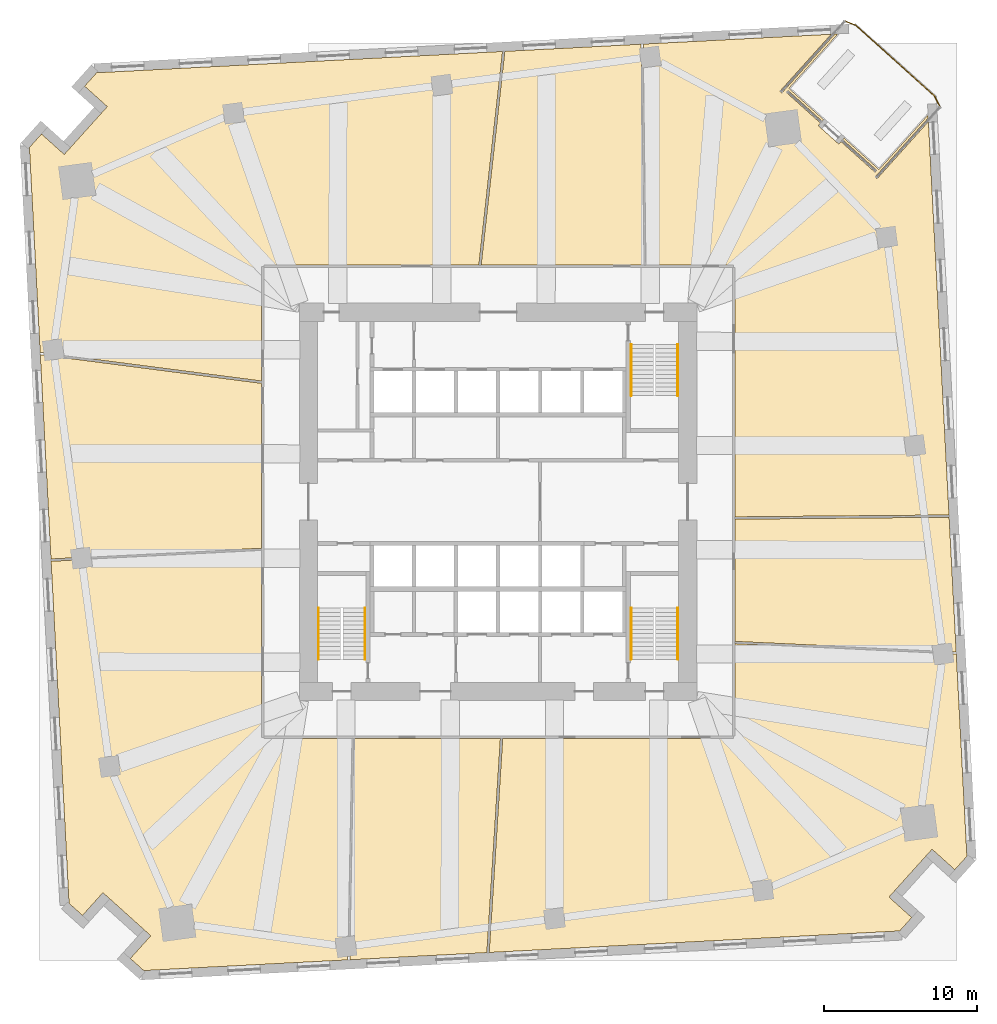
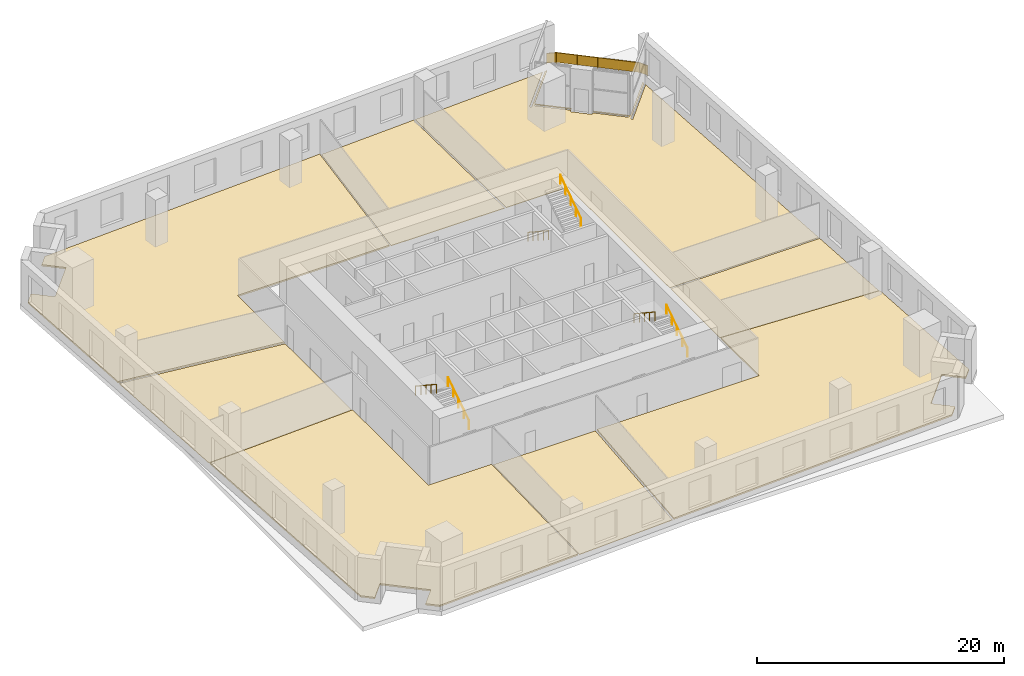
# One storey, part 9 of 10: 8 coverings, 7 railings.
"""IFC4 building model written with IfcOpenShell, lengths in metres."""

from ifc_helpers import new_model, si_unit, direction, frame, origin, origin_2d, place, context, subcontext, project, spatial, polyline, rectangle, circle, outline, extrude, material, layer, layer_set, type_object, element, save


model = new_model("IFC4")

# Units and contexts
model_context = context("Model", 3, precision=1e-05, world=origin(), true_north=direction((0.0, 1.0)))
body_context = subcontext(model_context, "Body", "Model", "MODEL_VIEW")
ifc_project = project(units=[si_unit("LENGTHUNIT", "METRE"), si_unit("AREAUNIT", "SQUARE_METRE"), si_unit("VOLUMEUNIT", "CUBIC_METRE"), si_unit("PLANEANGLEUNIT", "RADIAN"), si_unit("MASSUNIT", "GRAM", prefix="KILO")], contexts=[model_context])

# Site, building, storey
site_placement = place(None, origin())
site = spatial("IfcSite", under=ifc_project, at=site_placement, CompositionType="ELEMENT")
building_placement = place(site_placement, origin())
building = spatial("IfcBuilding", under=site, at=building_placement, Name="Dilmun Exchange Tower", CompositionType="ELEMENT")
storey_placement = place(building_placement, frame((0.0, 0.0, 22.5)))
storey = spatial("IfcBuildingStorey", under=building, at=storey_placement, Name="L05", CompositionType="ELEMENT", Elevation=22.5)

# Coverings
ifc_material_1 = material(Name="Carpet floor finish 50")
ifc_layer_1 = layer(ifc_material_1, 0.050048828125)
ifc_layer_set_1 = layer_set([ifc_layer_1], Name="Carpet floor finish 50")
covering_type_1 = type_object("IfcCoveringType", Name="Carpet floor finish 50", PredefinedType="FLOORING", material=ifc_layer_set_1)
covering_1_placement = place(storey_placement, origin())
element("IfcCovering", 1, at=covering_1_placement, inside=storey, type_object=covering_type_1, Name="Carpet floor finish 50 Trading support office 1", PredefinedType="FLOORING", context=body_context, shape_type="SweptSolid", body=[
    extrude(outline(polyline([(-15.47509765625, 7.75), (-15.47509765625, -3.034423828125), (-29.24267578125, -3.734619140625), (-29.942626953125, 9.6240234375), (-15.47509765625, 7.75)])), origin(), (0.0, 0.0, 1.0), 0.050048828125),
])
covering_2_placement = place(storey_placement, origin())
element("IfcCovering", 2, at=covering_2_placement, inside=storey, type_object=covering_type_1, Name="Carpet floor finish 50 Trading support office 2", PredefinedType="FLOORING", context=body_context, shape_type="SweptSolid", body=[
    extrude(outline(polyline([(0.14599609375, -15.47509765625), (-0.7373046875, -29.47705078125), (-9.691650390625, -29.9462890625), (-9.42041015625, -15.47509765625), (0.14599609375, -15.47509765625)])), origin(), (0.0, 0.0, 1.0), 0.050048828125),
])
covering_3_placement = place(storey_placement, origin())
element("IfcCovering", 3, at=covering_3_placement, inside=storey, type_object=covering_type_1, Name="Carpet floor finish 50 Trading support office 3", PredefinedType="FLOORING", context=body_context, shape_type="SweptSolid", body=[
    extrude(outline(polyline([(-1.112060546875, 15.47509765625), (0.4365234375, 29.461181640625), (9.347412109375, 29.92822265625), (9.529052734375, 15.47509765625), (-1.112060546875, 15.47509765625)])), origin(), (0.0, 0.0, 1.0), 0.050048828125),
])
covering_4_placement = place(storey_placement, origin())
element("IfcCovering", 4, at=covering_4_placement, inside=storey, type_object=covering_type_1, Name="Carpet floor finish 50 Garden lounge", PredefinedType="FLOORING", context=body_context, shape_type="SweptSolid", body=[
    extrude(outline(polyline([(19.01220703125, 27.039306640625), (21.287841796875, 24.990478515625), (21.192138671875, 24.88427734375), (18.972412109375, 26.8828125), (18.97216796875, 26.883056640625), (18.971923828125, 26.88330078125), (18.9716796875, 26.88330078125), (18.9716796875, 26.88330078125), (18.971435546875, 26.88330078125), (18.97119140625, 26.88330078125), (18.970947265625, 26.883544921875), (18.970703125, 26.88330078125), (18.970703125, 26.88330078125), (18.970458984375, 26.88330078125), (18.97021484375, 26.88330078125), (18.97021484375, 26.88330078125), (18.969970703125, 26.88330078125), (18.9697265625, 26.883056640625), (18.969482421875, 26.8828125), (18.969482421875, 26.8828125), (18.8623046875, 26.763916015625), (18.8623046875, 26.763671875), (18.8623046875, 26.763671875), (18.862060546875, 26.763427734375), (18.862060546875, 26.76318359375), (18.86181640625, 26.762939453125), (18.86181640625, 26.7626953125), (18.86181640625, 26.7626953125), (18.86181640625, 26.762451171875), (18.86181640625, 26.76220703125), (18.86181640625, 26.76220703125), (18.862060546875, 26.761962890625), (18.862060546875, 26.76171875), (18.8623046875, 26.761474609375), (18.8623046875, 26.761474609375), (18.8623046875, 26.76123046875), (18.862548828125, 26.760986328125), (21.082275390625, 24.762451171875), (20.9365234375, 24.600341796875), (20.936279296875, 24.60009765625), (20.936279296875, 24.60009765625), (20.93603515625, 24.599853515625), (20.93603515625, 24.599609375), (20.93603515625, 24.599609375), (20.93603515625, 24.599365234375), (20.93603515625, 24.59912109375), (20.93603515625, 24.59912109375), (20.93603515625, 24.598876953125), (20.93603515625, 24.5986328125), (20.93603515625, 24.598388671875), (20.936279296875, 24.59814453125), (20.936279296875, 24.597900390625), (20.936279296875, 24.597900390625), (20.9365234375, 24.59765625), (20.9365234375, 24.59765625), (22.2744140625, 23.39306640625), (22.2744140625, 23.392822265625), (22.274658203125, 23.392822265625), (22.27490234375, 23.392578125), (22.27490234375, 23.392578125), (22.275146484375, 23.392578125), (22.275390625, 23.392578125), (22.275634765625, 23.392578125), (22.27587890625, 23.392578125), (22.27587890625, 23.392578125), (22.276123046875, 23.392578125), (22.2763671875, 23.392578125), (22.276611328125, 23.392822265625), (22.276611328125, 23.392822265625), (22.27685546875, 23.39306640625), (22.277099609375, 23.39306640625), (22.277099609375, 23.393310546875), (22.423095703125, 23.55517578125), (24.642822265625, 21.556396484375), (24.64306640625, 21.556396484375), (24.64306640625, 21.55615234375), (24.643310546875, 21.55615234375), (24.6435546875, 21.55615234375), (24.643798828125, 21.555908203125), (24.643798828125, 21.555908203125), (24.64404296875, 21.555908203125), (24.644287109375, 21.555908203125), (24.64453125, 21.555908203125), (24.644775390625, 21.555908203125), (24.644775390625, 21.55615234375), (24.64501953125, 21.55615234375), (24.645263671875, 21.55615234375), (24.6455078125, 21.556396484375), (24.6455078125, 21.556396484375), (24.645751953125, 21.556640625), (24.752685546875, 21.675537109375), (24.752685546875, 21.67578125), (24.7529296875, 21.67578125), (24.7529296875, 21.676025390625), (24.753173828125, 21.67626953125), (24.753173828125, 21.676513671875), (24.753173828125, 21.676513671875), (24.753173828125, 21.6767578125), (24.753173828125, 21.677001953125), (24.753173828125, 21.67724609375), (24.753173828125, 21.67724609375), (24.753173828125, 21.677490234375), (24.7529296875, 21.677734375), (24.7529296875, 21.677978515625), (24.752685546875, 21.677978515625), (24.752685546875, 21.67822265625), (24.752685546875, 21.67822265625), (22.53271484375, 23.677001953125), (22.62841796875, 23.783447265625), (24.904052734375, 21.734619140625), (28.112548828125, 25.2978515625), (28.123291015625, 25.095947265625), (24.658935546875, 21.24853515625), (24.65869140625, 21.248291015625), (24.65869140625, 21.248291015625), (24.65869140625, 21.248046875), (24.65869140625, 21.247802734375), (24.658447265625, 21.247802734375), (24.658447265625, 21.24755859375), (24.658447265625, 21.247314453125), (24.658447265625, 21.2470703125), (24.658447265625, 21.246826171875), (24.658447265625, 21.24658203125), (24.65869140625, 21.24658203125), (24.65869140625, 21.246337890625), (24.65869140625, 21.24609375), (24.65869140625, 21.24609375), (24.658935546875, 21.245849609375), (24.6591796875, 21.24560546875), (24.778076171875, 21.138671875), (24.7783203125, 21.138671875), (24.7783203125, 21.138427734375), (24.778564453125, 21.138427734375), (24.77880859375, 21.13818359375), (24.77880859375, 21.13818359375), (24.779052734375, 21.13818359375), (24.779296875, 21.13818359375), (24.779541015625, 21.13818359375), (24.77978515625, 21.13818359375), (24.77978515625, 21.13818359375), (24.780029296875, 21.13818359375), (24.7802734375, 21.138427734375), (24.780517578125, 21.138427734375), (24.780517578125, 21.138671875), (24.78076171875, 21.138671875), (24.78076171875, 21.138916015625), (28.13525390625, 24.864501953125), (29.4833984375, -0.856689453125), (15.47509765625, -0.981689453125), (15.47509765625, 15.47509765625), (9.678955078125, 15.47509765625), (9.497314453125, 29.93603515625), (21.787109375, 30.580078125), (18.432861328125, 26.854736328125), (18.4326171875, 26.8544921875), (18.4326171875, 26.8544921875), (18.432373046875, 26.854248046875), (18.432373046875, 26.85400390625), (18.432373046875, 26.853759765625), (18.432373046875, 26.853515625), (18.432373046875, 26.853515625), (18.432373046875, 26.853271484375), (18.432373046875, 26.85302734375), (18.432373046875, 26.852783203125), (18.432373046875, 26.852783203125), (18.432373046875, 26.8525390625), (18.4326171875, 26.852294921875), (18.4326171875, 26.85205078125), (18.432861328125, 26.85205078125), (18.432861328125, 26.851806640625), (18.5517578125, 26.744873046875), (18.552001953125, 26.74462890625), (18.552001953125, 26.74462890625), (18.55224609375, 26.744384765625), (18.552490234375, 26.744384765625), (18.552734375, 26.744384765625), (18.552978515625, 26.744384765625), (18.552978515625, 26.744384765625), (18.55322265625, 26.744384765625), (18.553466796875, 26.744384765625), (18.5537109375, 26.744384765625), (18.5537109375, 26.744384765625), (18.553955078125, 26.744384765625), (18.55419921875, 26.74462890625), (18.55419921875, 26.74462890625), (18.554443359375, 26.744873046875), (18.5546875, 26.744873046875), (22.018798828125, 30.59228515625), (22.220703125, 30.602783203125), (19.01220703125, 27.039306640625)])), origin(), (0.0, 0.0, 1.0), 0.050048828125),
])
covering_5_placement = place(storey_placement, origin())
element("IfcCovering", 5, at=covering_5_placement, inside=storey, type_object=covering_type_1, Name="Carpet floor finish 50 Broker office", PredefinedType="FLOORING", context=body_context, shape_type="SweptSolid", body=[
    extrude(outline(polyline([(15.47509765625, -9.124267578125), (15.47509765625, -1.131591796875), (29.4912109375, -1.0068359375), (29.952392578125, -9.810546875), (15.47509765625, -9.124267578125)])), origin(), (0.0, 0.0, 1.0), 0.050048828125),
])
ifc_material_2 = material(Name="Raised access floor 150")
ifc_layer_2 = layer(ifc_material_2, 0.14990234375)
ifc_layer_set_2 = layer_set([ifc_layer_2], Name="Raised access floor 150")
covering_type_2 = type_object("IfcCoveringType", Name="Raised access floor 150", PredefinedType="FLOORING", material=ifc_layer_set_2)
covering_6_placement = place(storey_placement, origin())
element("IfcCovering", 6, at=covering_6_placement, inside=storey, type_object=covering_type_2, Name="Raised access floor 150 Trading hall 1", PredefinedType="FLOORING", context=body_context, shape_type="SweptSolid", body=[
    extrude(outline(polyline([(-15.47509765625, -3.184814453125), (-15.47509765625, -15.47509765625), (-9.5703125, -15.47509765625), (-9.841796875, -29.9541015625), (-23.17822265625, -30.653076171875), (-24.05810546875, -29.860595703125), (-22.72119140625, -28.3759765625), (-22.72119140625, -28.375732421875), (-22.720947265625, -28.37548828125), (-22.720947265625, -28.37548828125), (-22.720947265625, -28.375244140625), (-22.720703125, -28.375), (-22.720703125, -28.374755859375), (-22.720703125, -28.37451171875), (-22.720703125, -28.37451171875), (-22.720703125, -28.374267578125), (-22.720703125, -28.3740234375), (-22.720947265625, -28.373779296875), (-22.720947265625, -28.373779296875), (-22.720947265625, -28.37353515625), (-22.72119140625, -28.373291015625), (-22.72119140625, -28.373291015625), (-22.721435546875, -28.373046875), (-23.167236328125, -27.9716796875), (-23.167236328125, -27.9716796875), (-23.167236328125, -27.9716796875), (-25.396484375, -25.96435546875), (-25.396484375, -25.96435546875), (-25.396728515625, -25.964111328125), (-25.842529296875, -25.562744140625), (-25.8427734375, -25.5625), (-25.843017578125, -25.5625), (-25.843017578125, -25.562255859375), (-25.84326171875, -25.562255859375), (-25.843505859375, -25.562255859375), (-25.84375, -25.562255859375), (-25.84375, -25.562255859375), (-25.843994140625, -25.562255859375), (-25.84423828125, -25.562255859375), (-25.844482421875, -25.562255859375), (-25.844482421875, -25.562255859375), (-25.8447265625, -25.5625), (-25.844970703125, -25.5625), (-25.84521484375, -25.5625), (-25.84521484375, -25.562744140625), (-25.845458984375, -25.562744140625), (-27.182373046875, -27.047607421875), (-28.0625, -26.25537109375), (-29.23486328125, -3.88427734375), (-15.47509765625, -3.184814453125)])), origin(), (0.0, 0.0, 1.0), 0.14990234375),
])
covering_7_placement = place(storey_placement, origin())
element("IfcCovering", 7, at=covering_7_placement, inside=storey, type_object=covering_type_2, Name="Raised access floor 150 Trading hall 2", PredefinedType="FLOORING", context=body_context, shape_type="SweptSolid", body=[
    extrude(outline(polyline([(-1.262939453125, 15.47509765625), (-15.47509765625, 15.47509765625), (-15.47509765625, 7.901123046875), (-29.95068359375, 9.7763671875), (-30.653076171875, 23.17822265625), (-29.860595703125, 24.05810546875), (-28.3759765625, 22.72119140625), (-28.375732421875, 22.72119140625), (-28.37548828125, 22.720947265625), (-28.37548828125, 22.720947265625), (-28.375244140625, 22.720947265625), (-28.375, 22.720703125), (-28.374755859375, 22.720703125), (-28.37451171875, 22.720703125), (-28.37451171875, 22.720703125), (-28.374267578125, 22.720703125), (-28.3740234375, 22.720703125), (-28.373779296875, 22.720947265625), (-28.373779296875, 22.720947265625), (-28.37353515625, 22.720947265625), (-28.373291015625, 22.72119140625), (-28.373291015625, 22.72119140625), (-28.373046875, 22.721435546875), (-27.9716796875, 23.167236328125), (-27.9716796875, 23.167236328125), (-27.9716796875, 23.167236328125), (-25.96435546875, 25.396484375), (-25.96435546875, 25.396484375), (-25.964111328125, 25.396728515625), (-25.562744140625, 25.842529296875), (-25.5625, 25.8427734375), (-25.5625, 25.843017578125), (-25.562255859375, 25.843017578125), (-25.562255859375, 25.84326171875), (-25.562255859375, 25.843505859375), (-25.562255859375, 25.84375), (-25.562255859375, 25.84375), (-25.562255859375, 25.843994140625), (-25.562255859375, 25.84423828125), (-25.562255859375, 25.844482421875), (-25.562255859375, 25.844482421875), (-25.5625, 25.8447265625), (-25.5625, 25.844970703125), (-25.5625, 25.84521484375), (-25.562744140625, 25.84521484375), (-25.562744140625, 25.845458984375), (-27.047607421875, 27.182373046875), (-26.25537109375, 28.0625), (0.284912109375, 29.453369140625), (-1.262939453125, 15.47509765625)])), origin(), (0.0, 0.0, 1.0), 0.14990234375),
])
covering_8_placement = place(storey_placement, origin())
element("IfcCovering", 8, at=covering_8_placement, inside=storey, type_object=covering_type_2, Name="Raised access floor 150 Trading hall 3", PredefinedType="FLOORING", context=body_context, shape_type="SweptSolid", body=[
    extrude(outline(polyline([(0.29638671875, -15.47509765625), (15.47509765625, -15.47509765625), (15.47509765625, -9.2744140625), (29.96044921875, -9.961181640625), (30.653076171875, -23.17822265625), (29.860595703125, -24.05810546875), (28.3759765625, -22.72119140625), (28.375732421875, -22.72119140625), (28.37548828125, -22.720947265625), (28.37548828125, -22.720947265625), (28.375244140625, -22.720947265625), (28.375, -22.720703125), (28.374755859375, -22.720703125), (28.37451171875, -22.720703125), (28.37451171875, -22.720703125), (28.374267578125, -22.720703125), (28.3740234375, -22.720703125), (28.373779296875, -22.720947265625), (28.373779296875, -22.720947265625), (28.37353515625, -22.720947265625), (28.373291015625, -22.72119140625), (28.373291015625, -22.72119140625), (28.373046875, -22.721435546875), (27.9716796875, -23.167236328125), (27.9716796875, -23.167236328125), (27.9716796875, -23.167236328125), (25.96435546875, -25.396484375), (25.96435546875, -25.396484375), (25.964111328125, -25.396728515625), (25.562744140625, -25.842529296875), (25.5625, -25.8427734375), (25.5625, -25.843017578125), (25.562255859375, -25.843017578125), (25.562255859375, -25.84326171875), (25.562255859375, -25.843505859375), (25.562255859375, -25.84375), (25.562255859375, -25.84375), (25.562255859375, -25.843994140625), (25.562255859375, -25.84423828125), (25.562255859375, -25.844482421875), (25.562255859375, -25.844482421875), (25.5625, -25.8447265625), (25.5625, -25.844970703125), (25.5625, -25.84521484375), (25.562744140625, -25.84521484375), (25.562744140625, -25.845458984375), (27.047607421875, -27.182373046875), (26.25537109375, -28.0625), (-0.58642578125, -29.468994140625), (0.29638671875, -15.47509765625)])), origin(), (0.0, 0.0, 1.0), 0.14990234375),
])

# Railings
ifc_material_3 = material(Name="Stainless steel", Category="steel")
railing_type_1 = type_object("IfcRailingType", Name="Stair handrail 900", PredefinedType="HANDRAIL", material=ifc_material_3)
railing_1_placement = place(storey_placement, frame((8.699951171875, 10.300048828125, 0.1845703125)))
element("IfcRailing", 9, at=railing_1_placement, inside=storey, type_object=railing_type_1, Name="L05 ST1 stair handrail 1", PredefinedType="HANDRAIL", context=body_context, shape_type="SweptSolid", body=[
    extrude(circle(Radius=0.02392578125, at=origin_2d()), frame((0.0, 0.0, 0.8759765625), z_axis=(0.0, -0.834876476806, 0.550437342915), x_axis=(1.0, 0.0, 0.0)), (0.0, 0.0, 1.0), 4.024658203125),
    extrude(circle(Radius=0.02099609375, at=origin_2d()), origin(), (0.0, 0.0, 1.0), 0.851806640625),
    extrude(circle(Radius=0.02099609375, at=origin_2d()), frame((0.0, -0.840087890625, 0.5537109375)), (0.0, 0.0, 1.0), 0.851806640625),
    extrude(circle(Radius=0.02099609375, at=origin_2d()), frame((0.0, -1.68017578125, 1.107666015625)), (0.0, 0.0, 1.0), 0.851806640625),
    extrude(circle(Radius=0.02099609375, at=origin_2d()), frame((0.0, -2.52001953125, 1.66162109375)), (0.0, 0.0, 1.0), 0.851806640625),
    extrude(circle(Radius=0.02099609375, at=origin_2d()), frame((0.0, -3.360107421875, 2.21533203125)), (0.0, 0.0, 1.0), 0.851806640625),
])
for number, where, name in (
    (10, (11.75, 6.93994140625, 2.584716796875), "L05 ST1 stair handrail 2"),
    (11, (-8.699951171875, -10.300048828125, 0.1845703125), "L05 ST2 stair handrail 1"),
):
    element("IfcRailing", number, at=place(storey_placement, frame(where)), inside=storey, type_object=railing_type_1, Name=name, PredefinedType="HANDRAIL", context=body_context, shape_type="SweptSolid", body=[
        extrude(circle(Radius=0.02392578125, at=origin_2d()), frame((0.0, 0.0, 0.8759765625), z_axis=(0.0, 0.834876476806, 0.550437342915), x_axis=(-1.0, 0.0, 0.0)), (0.0, 0.0, 1.0), 4.024658203125),
        extrude(circle(Radius=0.02099609375, at=origin_2d()), origin(), (0.0, 0.0, 1.0), 0.851806640625),
        extrude(circle(Radius=0.02099609375, at=origin_2d()), frame((0.0, 0.840087890625, 0.5537109375)), (0.0, 0.0, 1.0), 0.851806640625),
        extrude(circle(Radius=0.02099609375, at=origin_2d()), frame((0.0, 1.68017578125, 1.107666015625)), (0.0, 0.0, 1.0), 0.851806640625),
        extrude(circle(Radius=0.02099609375, at=origin_2d()), frame((0.0, 2.52001953125, 1.66162109375)), (0.0, 0.0, 1.0), 0.851806640625),
        extrude(circle(Radius=0.02099609375, at=origin_2d()), frame((0.0, 3.360107421875, 2.21533203125)), (0.0, 0.0, 1.0), 0.851806640625),
    ])
railing_2_placement = place(storey_placement, frame((-11.75, -6.93994140625, 2.584716796875)))
element("IfcRailing", 12, at=railing_2_placement, inside=storey, type_object=railing_type_1, Name="L05 ST2 stair handrail 2", PredefinedType="HANDRAIL", context=body_context, shape_type="SweptSolid", body=[
    extrude(circle(Radius=0.02392578125, at=origin_2d()), frame((0.0, 0.0, 0.8759765625), z_axis=(0.0, -0.834876476806, 0.550437342915), x_axis=(1.0, 0.0, 0.0)), (0.0, 0.0, 1.0), 4.024658203125),
    extrude(circle(Radius=0.02099609375, at=origin_2d()), origin(), (0.0, 0.0, 1.0), 0.851806640625),
    extrude(circle(Radius=0.02099609375, at=origin_2d()), frame((0.0, -0.840087890625, 0.5537109375)), (0.0, 0.0, 1.0), 0.851806640625),
    extrude(circle(Radius=0.02099609375, at=origin_2d()), frame((0.0, -1.68017578125, 1.107666015625)), (0.0, 0.0, 1.0), 0.851806640625),
    extrude(circle(Radius=0.02099609375, at=origin_2d()), frame((0.0, -2.52001953125, 1.66162109375)), (0.0, 0.0, 1.0), 0.851806640625),
    extrude(circle(Radius=0.02099609375, at=origin_2d()), frame((0.0, -3.360107421875, 2.21533203125)), (0.0, 0.0, 1.0), 0.851806640625),
])
railing_3_placement = place(storey_placement, frame((11.75, -10.300048828125, 0.1845703125)))
element("IfcRailing", 13, at=railing_3_placement, inside=storey, type_object=railing_type_1, Name="L05 ST3 stair handrail 1", PredefinedType="HANDRAIL", context=body_context, shape_type="SweptSolid", body=[
    extrude(circle(Radius=0.02392578125, at=origin_2d()), frame((0.0, 0.0, 0.8759765625), z_axis=(0.0, 0.834876476806, 0.550437342915), x_axis=(-1.0, 0.0, 0.0)), (0.0, 0.0, 1.0), 4.024658203125),
    extrude(circle(Radius=0.02099609375, at=origin_2d()), origin(), (0.0, 0.0, 1.0), 0.851806640625),
    extrude(circle(Radius=0.02099609375, at=origin_2d()), frame((0.0, 0.840087890625, 0.5537109375)), (0.0, 0.0, 1.0), 0.851806640625),
    extrude(circle(Radius=0.02099609375, at=origin_2d()), frame((0.0, 1.68017578125, 1.107666015625)), (0.0, 0.0, 1.0), 0.851806640625),
    extrude(circle(Radius=0.02099609375, at=origin_2d()), frame((0.0, 2.52001953125, 1.66162109375)), (0.0, 0.0, 1.0), 0.851806640625),
    extrude(circle(Radius=0.02099609375, at=origin_2d()), frame((0.0, 3.360107421875, 2.21533203125)), (0.0, 0.0, 1.0), 0.851806640625),
])
railing_4_placement = place(storey_placement, frame((8.699951171875, -6.93994140625, 2.584716796875)))
element("IfcRailing", 14, at=railing_4_placement, inside=storey, type_object=railing_type_1, Name="L05 ST3 stair handrail 2", PredefinedType="HANDRAIL", context=body_context, shape_type="SweptSolid", body=[
    extrude(circle(Radius=0.02392578125, at=origin_2d()), frame((0.0, 0.0, 0.8759765625), z_axis=(0.0, -0.834876476806, 0.550437342915), x_axis=(1.0, 0.0, 0.0)), (0.0, 0.0, 1.0), 4.024658203125),
    extrude(circle(Radius=0.02099609375, at=origin_2d()), origin(), (0.0, 0.0, 1.0), 0.851806640625),
    extrude(circle(Radius=0.02099609375, at=origin_2d()), frame((0.0, -0.840087890625, 0.5537109375)), (0.0, 0.0, 1.0), 0.851806640625),
    extrude(circle(Radius=0.02099609375, at=origin_2d()), frame((0.0, -1.68017578125, 1.107666015625)), (0.0, 0.0, 1.0), 0.851806640625),
    extrude(circle(Radius=0.02099609375, at=origin_2d()), frame((0.0, -2.52001953125, 1.66162109375)), (0.0, 0.0, 1.0), 0.851806640625),
    extrude(circle(Radius=0.02099609375, at=origin_2d()), frame((0.0, -3.360107421875, 2.21533203125)), (0.0, 0.0, 1.0), 0.851806640625),
])
railing_type_2 = type_object("IfcRailingType", Name="Terrace guard 1100 stainless steel", PredefinedType="GUARDRAIL", material=ifc_material_3)
railing_5_placement = place(storey_placement, frame((22.67333984375, 31.44189453125, 0.0)))
element("IfcRailing", 15, at=railing_5_placement, inside=storey, type_object=railing_type_2, Name="Terrace guard 1", PredefinedType="GUARDRAIL", context=body_context, shape_type="SweptSolid", body=[
    extrude(circle(Radius=0.02392578125, at=origin_2d()), frame((0.0, 0.0, 1.076171875), z_axis=(0.929174341498, -0.369641776727, 0.0), x_axis=(0.369641776727, 0.929174341498, 0.0)), (0.0, 0.0, 1.0), 0.794677734375),
    extrude(rectangle(XDim=0.011962890625, YDim=0.951904296875, at=origin_2d()), frame((0.0, 0.0, 0.576171875), z_axis=(0.929174341498, -0.369641776727, 0.0), x_axis=(0.369641776727, 0.929174341498, 0.0)), (0.0, 0.0, 1.0), 0.794677734375),
    extrude(circle(Radius=0.02392578125, at=origin_2d()), frame((0.73828125, -0.293701171875, 1.076171875), z_axis=(0.743158424728, -0.669115502552, 0.0), x_axis=(0.669115502552, 0.743158424728, 0.0)), (0.0, 0.0, 1.0), 6.887939453125),
    extrude(rectangle(XDim=0.011962890625, YDim=0.951904296875, at=origin_2d()), frame((0.73828125, -0.293701171875, 0.576171875), z_axis=(0.743158424728, -0.669115502552, 0.0), x_axis=(0.669115502552, 0.743158424728, 0.0)), (0.0, 0.0, 1.0), 6.887939453125),
    extrude(circle(Radius=0.02392578125, at=origin_2d()), frame((5.857177734375, -4.902587890625, 1.076171875), z_axis=(0.464580964263, -0.88553064749, 0.0), x_axis=(0.88553064749, 0.464580964263, 0.0)), (0.0, 0.0, 1.0), 0.794677734375),
    extrude(rectangle(XDim=0.011962890625, YDim=0.951904296875, at=origin_2d()), frame((5.857177734375, -4.902587890625, 0.576171875), z_axis=(0.464580964263, -0.88553064749, 0.0), x_axis=(0.88553064749, 0.464580964263, 0.0)), (0.0, 0.0, 1.0), 0.794677734375),
    extrude(circle(Radius=0.02099609375, at=origin_2d()), origin(), (0.0, 0.0, 1.0), 1.052001953125),
    extrude(circle(Radius=0.02099609375, at=origin_2d()), frame((0.73828125, -0.293701171875, 0.0)), (0.0, 0.0, 1.0), 1.052001953125),
    extrude(circle(Radius=0.02099609375, at=origin_2d()), frame((2.01806640625, -1.44580078125, 0.0)), (0.0, 0.0, 1.0), 1.052001953125),
    extrude(circle(Radius=0.02099609375, at=origin_2d()), frame((3.2978515625, -2.59814453125, 0.0)), (0.0, 0.0, 1.0), 1.052001953125),
    extrude(circle(Radius=0.02099609375, at=origin_2d()), frame((4.577392578125, -3.75048828125, 0.0)), (0.0, 0.0, 1.0), 1.052001953125),
    extrude(circle(Radius=0.02099609375, at=origin_2d()), frame((5.857177734375, -4.902587890625, 0.0)), (0.0, 0.0, 1.0), 1.052001953125),
    extrude(circle(Radius=0.02099609375, at=origin_2d()), frame((6.226318359375, -5.606201171875, 0.0)), (0.0, 0.0, 1.0), 1.052001953125),
])

save(model, "model.ifc")
